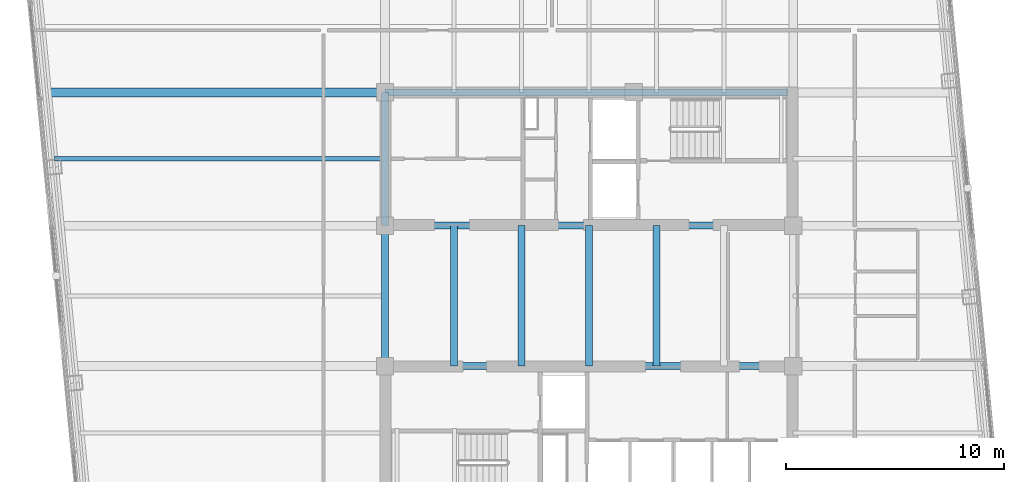
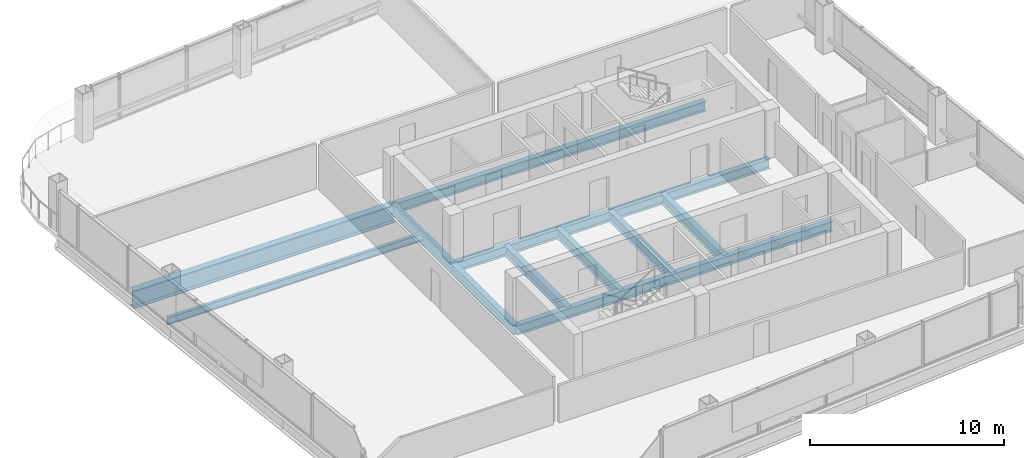
# One storey, part 12 of 28: 11 beams.
"""IFC4 building model written with IfcOpenShell, lengths in metres."""

from ifc_helpers import new_model, si_unit, direction, frame, origin, origin_2d, place, context, subcontext, project, spatial, i_section, extrude, material, material_profile, profile_set, type_object, element, save


model = new_model("IFC4")

# Units and contexts
model_context = context("Model", 3, precision=1e-05, world=origin(), true_north=direction((0.0, 1.0)))
body_context = subcontext(model_context, "Body", "Model", "MODEL_VIEW")
ifc_project = project(units=[si_unit("LENGTHUNIT", "METRE"), si_unit("AREAUNIT", "SQUARE_METRE"), si_unit("VOLUMEUNIT", "CUBIC_METRE"), si_unit("PLANEANGLEUNIT", "RADIAN"), si_unit("MASSUNIT", "GRAM", prefix="KILO")], contexts=[model_context])

# Site, building, storey
site_placement = place(None, origin())
site = spatial("IfcSite", under=ifc_project, at=site_placement, CompositionType="ELEMENT")
building_placement = place(site_placement, origin())
building = spatial("IfcBuilding", under=site, at=building_placement, Name="Qhalaya Broadcast Tower", CompositionType="ELEMENT")
storey_placement = place(building_placement, frame((0.0, 0.0, 159.199951171875)))
storey = spatial("IfcBuildingStorey", under=building, at=storey_placement, Name="L46", CompositionType="ELEMENT", Elevation=159.199951171875)

# Beams
ifc_material = material(Name="Structural Steel ASTM A992 Grade 50", Category="steel")
ifc_material_profile_1 = material_profile(ifc_material, i_section(OverallWidth=0.19189453125, OverallDepth=0.462890625, WebThickness=0.010498046875, FlangeThickness=0.017578125, at=origin_2d()), Name="W18X60")
ifc_profile_set_1 = profile_set([ifc_material_profile_1], Name="Structural Steel ASTM A992 Grade 50")
beam_type_1 = type_object("IfcBeamType", Name="Composite Floor Joist J03", PredefinedType="JOIST", material=ifc_profile_set_1)
beam_1_placement = place(storey_placement, frame((-24.589111328125, 6.89990234375, -0.451416015625), z_axis=(1.0, 0.0, 0.0), x_axis=(0.0, 1.0, 0.0)))
element("IfcBeam", 1, at=beam_1_placement, inside=storey, type_object=beam_type_1, Name="L46 J03 L46-JWE5W-1", PredefinedType="JOIST", context=body_context, shape_type="SweptSolid", body=[
    extrude(i_section(OverallWidth=0.19189453125, OverallDepth=0.462890625, WebThickness=0.010498046875, FlangeThickness=0.017578125, at=origin_2d()), origin(), (0.0, 0.0, 1.0), 15.214111328125),
])
ifc_material_profile_2 = material_profile(ifc_material, i_section(OverallWidth=0.323974609375, OverallDepth=0.612060546875, WebThickness=0.0126953125, FlangeThickness=0.01904296875, at=origin_2d()), Name="W24X104")
ifc_profile_set_2 = profile_set([ifc_material_profile_2], Name="Structural Steel ASTM A992 Grade 50")
beam_type_2 = type_object("IfcBeamType", Name="Core Frame Tie Beam B04", PredefinedType="BEAM", material=ifc_profile_set_2)
beam_2_placement = place(storey_placement, frame((-9.375, 3.824951171875, -0.52587890625), z_axis=(1.0, 0.0, 0.0), x_axis=(0.0, 1.0, 0.0)))
element("IfcBeam", 2, at=beam_2_placement, inside=storey, type_object=beam_type_2, Name="L46 B04 L46-CCN1", PredefinedType="BEAM", context=body_context, shape_type="SweptSolid", body=[
    extrude(i_section(OverallWidth=0.323974609375, OverallDepth=0.612060546875, WebThickness=0.0126953125, FlangeThickness=0.01904296875, at=origin_2d()), origin(), (0.0, 0.0, 1.0), 18.75),
])
beam_3_placement = place(storey_placement, frame((-9.375, 3.824951171875, -0.52587890625), z_axis=(0.0, 1.0, 0.0), x_axis=(-1.0, 0.0, 0.0)))
element("IfcBeam", 3, at=beam_3_placement, inside=storey, type_object=beam_type_2, Name="L46 B04 L46-CCN2", PredefinedType="BEAM", context=body_context, shape_type="SweptSolid", body=[
    extrude(i_section(OverallWidth=0.323974609375, OverallDepth=0.612060546875, WebThickness=0.0126953125, FlangeThickness=0.01904296875, at=origin_2d()), origin(), (0.0, 0.0, 1.0), 6.125),
])
beam_4_placement = place(storey_placement, frame((-9.375, 9.949951171875, -0.52587890625), z_axis=(1.0, 0.0, 0.0), x_axis=(0.0, 1.0, 0.0)))
element("IfcBeam", 4, at=beam_4_placement, inside=storey, type_object=beam_type_2, Name="L46 B04 L46-CCN3", PredefinedType="BEAM", context=body_context, shape_type="SweptSolid", body=[
    extrude(i_section(OverallWidth=0.323974609375, OverallDepth=0.612060546875, WebThickness=0.0126953125, FlangeThickness=0.01904296875, at=origin_2d()), origin(), (0.0, 0.0, 1.0), 18.4951171875),
])
beam_5_placement = place(storey_placement, frame((-9.375, -2.625, -0.52587890625), z_axis=(1.0, 0.0, 0.0), x_axis=(0.0, 1.0, 0.0)))
element("IfcBeam", 5, at=beam_5_placement, inside=storey, type_object=beam_type_2, Name="L46 B04 L46-CCS1", PredefinedType="BEAM", context=body_context, shape_type="SweptSolid", body=[
    extrude(i_section(OverallWidth=0.323974609375, OverallDepth=0.612060546875, WebThickness=0.0126953125, FlangeThickness=0.01904296875, at=origin_2d()), origin(), (0.0, 0.0, 1.0), 18.75),
])
for number, where, z_axis, x_axis, name in (
    (6, (-9.375, -2.625, -0.52587890625), (0.0, 1.0, 0.0), (-1.0, 0.0, 0.0), "L46 B04 L46-CCW"),
    (7, (-6.199951171875, -2.625, -0.52587890625), (0.0, 1.0, 0.0), (-1.0, 0.0, 0.0), "L46 B04 L46-JC1-1"),
    (8, (-3.10009765625, -2.625, -0.52587890625), (0.0, 1.0, 0.0), (-1.0, 0.0, 0.0), "L46 B04 L46-JC2-1"),
    (9, (0.0, -2.625, -0.52587890625), (0.0, 1.0, 0.0), (-1.0, 0.0, 0.0), "L46 B04 L46-JC3-1"),
    (10, (3.10009765625, -2.625, -0.52587890625), (0.0, 1.0, 0.0), (-1.0, 0.0, 0.0), "L46 B04 L46-JC4-1"),
):
    element("IfcBeam", number, at=place(storey_placement, frame(where, z_axis=z_axis, x_axis=x_axis)), inside=storey, type_object=beam_type_2, Name=name, PredefinedType="BEAM", context=body_context, shape_type="SweptSolid", body=[
        extrude(i_section(OverallWidth=0.323974609375, OverallDepth=0.612060546875, WebThickness=0.0126953125, FlangeThickness=0.01904296875, at=origin_2d()), origin(), (0.0, 0.0, 1.0), 6.449951171875),
    ])
ifc_material_profile_3 = material_profile(ifc_material, i_section(OverallWidth=0.404052734375, OverallDepth=1.117919921875, WebThickness=0.026123046875, FlangeThickness=0.044921875, at=origin_2d()), Name="W44X335")
ifc_profile_set_3 = profile_set([ifc_material_profile_3], Name="Structural Steel ASTM A992 Grade 50")
beam_type_3 = type_object("IfcBeamType", Name="Podium Long-Span Primary Girder PG1", PredefinedType="USERDEFINED", material=ifc_profile_set_3)
beam_6_placement = place(storey_placement, frame((-24.882568359375, 9.949951171875, -0.779052734375), z_axis=(1.0, 0.0, 0.0), x_axis=(0.0, 1.0, 0.0)))
element("IfcBeam", 11, at=beam_6_placement, inside=storey, type_object=beam_type_3, Name="L46 PG1 L46-PGYW4-1", ObjectType="GIRDER", PredefinedType="USERDEFINED", context=body_context, shape_type="SweptSolid", body=[
    extrude(i_section(OverallWidth=0.404052734375, OverallDepth=1.117919921875, WebThickness=0.026123046875, FlangeThickness=0.044921875, at=origin_2d()), origin(), (0.0, 0.0, 1.0), 15.507568359375),
])

save(model, "model.ifc")
